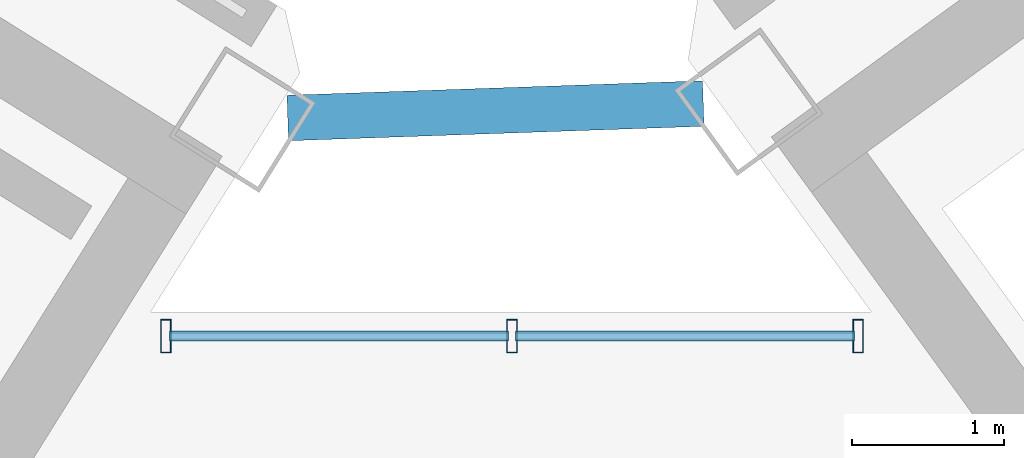
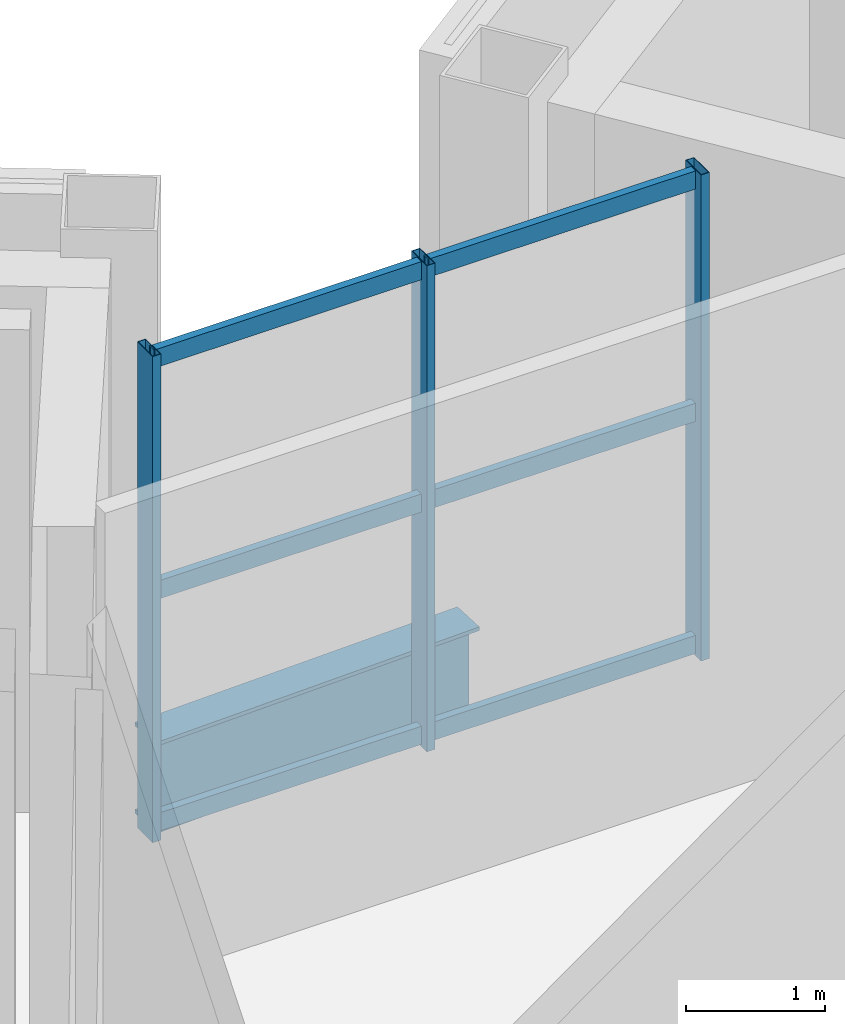
# One storey, part 12 of 27: 9 members, 1 beam, 1 element without a shape of its own.
"""IFC4 building model written with IfcOpenShell, lengths in metres."""

from ifc_helpers import new_model, si_unit, direction, frame, origin, origin_2d, place, context, subcontext, project, spatial, hollow_rectangle, i_section, extrude, source, transform, mapped, material, material_profile, profile_set, type_object, element, aggregate, save


model = new_model("IFC4")

# Units and contexts
model_context = context("Model", 3, precision=1e-05, world=origin(), true_north=direction((0.0, 1.0)))
body_context = subcontext(model_context, "Body", "Model", "MODEL_VIEW")
ifc_project = project(units=[si_unit("LENGTHUNIT", "METRE"), si_unit("AREAUNIT", "SQUARE_METRE"), si_unit("VOLUMEUNIT", "CUBIC_METRE"), si_unit("PLANEANGLEUNIT", "RADIAN"), si_unit("MASSUNIT", "GRAM", prefix="KILO")], contexts=[model_context])

# Site, building, storey
site_placement = place(None, origin())
site = spatial("IfcSite", under=ifc_project, at=site_placement, CompositionType="ELEMENT")
building_placement = place(site_placement, origin())
building = spatial("IfcBuilding", under=site, at=building_placement, Name="Tlacorven Tower", CompositionType="ELEMENT")
storey_placement = place(building_placement, frame((0.0, 0.0, 254.699951171875)))
storey = spatial("IfcBuildingStorey", under=building, at=storey_placement, Name="L64", CompositionType="ELEMENT", Elevation=254.699951171875)

# Beam
ifc_material_1 = material(Name="Steel S355J2", Category="steel")
ifc_material_profile_1 = material_profile(ifc_material_1, i_section(OverallWidth=0.300048828125, OverallDepth=0.800048828125, WebThickness=0.017578125, FlangeThickness=0.032958984375, at=origin_2d()), Name="HEB 800")
ifc_profile_set_1 = profile_set([ifc_material_profile_1], Name="Steel S355J2")
beam_type = type_object("IfcBeamType", Name="BM-POD-800", PredefinedType="BEAM", material=ifc_profile_set_1)
shared_shape_1 = source(origin(), body_context, "Body", "SweptSolid", [
    extrude(i_section(OverallWidth=0.300048828125, OverallDepth=0.800048828125, WebThickness=0.017578125, FlangeThickness=0.032958984375, at=origin_2d()), origin(), (0.0, 0.0, 1.0), 2.742919921875),
])
beam_placement = place(storey_placement, frame((41.082763671875, 24.478759765625, -0.679931640625), z_axis=(0.999391107631, 0.034891460117, 0.0), x_axis=(-0.034891460117, 0.999391107631, 0.0)))
element("IfcBeam", 1, at=beam_placement, inside=storey, type_object=beam_type, Name="L64 Knuckle Link Girder 1", PredefinedType="BEAM", context=body_context, shape_type="MappedRepresentation", body=[
    mapped(shared_shape_1, transform((0.0, 0.0, 0.0), scale=1.0)),
])

# Curtain wall, members
ifc_material_2 = material(Name="Dark solar low-E double glazing in aluminium frame", Category="aluminium")
curtain_wall_type = type_object("IfcCurtainWallType", Name="CW-COM-AMENITY", PredefinedType="USERDEFINED", material=ifc_material_2)
curtain_wall_placement = place(storey_placement, origin())
curtain_wall = element("IfcCurtainWall", 2, at=curtain_wall_placement, inside=storey, type_object=curtain_wall_type, Name="L64 CW-COM-AMENITY Curtain Wall 301", ObjectType="UNITISED CURTAIN WALL", PredefinedType="USERDEFINED")
ifc_material_3 = material(Name="Aluminium 6063-T6 anodised", Category="aluminium")
ifc_material_profile_2 = material_profile(ifc_material_3, hollow_rectangle(XDim=0.070068359375, YDim=0.219970703125, WallThickness=0.0048828125, at=origin_2d()), Name="ALU MULLION 70X220")
ifc_profile_set_2 = profile_set([ifc_material_profile_2], Name="Aluminium 6063-T6 anodised")
member_type_1 = type_object("IfcMemberType", Name="CWM-01", PredefinedType="MULLION", material=ifc_profile_set_2)
shared_shape_2 = source(origin(), body_context, "Body", "SweptSolid", [
    extrude(hollow_rectangle(XDim=0.070068359375, YDim=0.219970703125, WallThickness=0.0048828125, at=origin_2d()), origin(), (0.0, 0.0, 1.0), 4.280029296875),
])
member_1_placement = place(storey_placement, frame((40.27880859375, 23.0400390625, -0.02001953125), z_axis=(0.0, 0.0, 1.0), x_axis=(1.0, 0.0, 0.0)))
member_1 = element("IfcMember", 3, at=member_1_placement, type_object=member_type_1, Name="CW-L64-301 Mullion 1", PredefinedType="MULLION", context=body_context, shape_type="MappedRepresentation", body=[
    mapped(shared_shape_2, transform((0.0, 0.0, 0.0), scale=1.0)),
])
member_2_placement = place(storey_placement, frame((42.562255859375, 23.0400390625, -0.02001953125), z_axis=(0.0, 0.0, 1.0), x_axis=(1.0, 0.0, 0.0)))
member_2 = element("IfcMember", 4, at=member_2_placement, type_object=member_type_1, Name="CW-L64-301 Mullion 2", PredefinedType="MULLION", context=body_context, shape_type="MappedRepresentation", body=[
    mapped(shared_shape_2, transform((0.0, 0.0, 0.0), scale=1.0)),
])
member_3_placement = place(storey_placement, frame((44.845458984375, 23.0400390625, -0.02001953125), z_axis=(0.0, 0.0, 1.0), x_axis=(1.0, 0.0, 0.0)))
member_3 = element("IfcMember", 5, at=member_3_placement, type_object=member_type_1, Name="CW-L64-301 Mullion 3", PredefinedType="MULLION", context=body_context, shape_type="MappedRepresentation", body=[
    mapped(shared_shape_2, transform((0.0, 0.0, 0.0), scale=1.0)),
])
ifc_material_profile_3 = material_profile(ifc_material_3, hollow_rectangle(XDim=0.06494140625, YDim=0.159912109375, WallThickness=0.00390625, at=origin_2d()), Name="ALU TRANSOM 65X160")
ifc_profile_set_3 = profile_set([ifc_material_profile_3], Name="Aluminium 6063-T6 anodised")
member_type_2 = type_object("IfcMemberType", Name="CWT-01", PredefinedType="USERDEFINED", material=ifc_profile_set_3)
shared_shape_3 = source(origin(), body_context, "Body", "SweptSolid", [
    extrude(hollow_rectangle(XDim=0.06494140625, YDim=0.159912109375, WallThickness=0.00390625, at=origin_2d()), origin(), (0.0, 0.0, 1.0), 2.2373046875),
])
member_4_placement = place(storey_placement, frame((40.302001953125, 23.0400390625, 0.080078125), z_axis=(1.0, 0.0, 0.0), x_axis=(0.0, 1.0, 0.0)))
member_4 = element("IfcMember", 6, at=member_4_placement, type_object=member_type_2, Name="CW-L64-301 Transom 1", ObjectType="TRANSOM", PredefinedType="USERDEFINED", context=body_context, shape_type="MappedRepresentation", body=[
    mapped(shared_shape_3, transform((0.0, 0.0, 0.0), scale=1.0)),
])
member_5_placement = place(storey_placement, frame((40.302001953125, 23.0400390625, 2.125), z_axis=(1.0, 0.0, 0.0), x_axis=(0.0, 1.0, 0.0)))
member_5 = element("IfcMember", 7, at=member_5_placement, type_object=member_type_2, Name="CW-L64-301 Transom 2", ObjectType="TRANSOM", PredefinedType="USERDEFINED", context=body_context, shape_type="MappedRepresentation", body=[
    mapped(shared_shape_3, transform((0.0, 0.0, 0.0), scale=1.0)),
])
member_6_placement = place(storey_placement, frame((40.302001953125, 23.0400390625, 4.170166015625), z_axis=(1.0, 0.0, 0.0), x_axis=(0.0, 1.0, 0.0)))
member_6 = element("IfcMember", 8, at=member_6_placement, type_object=member_type_2, Name="CW-L64-301 Transom 3", ObjectType="TRANSOM", PredefinedType="USERDEFINED", context=body_context, shape_type="MappedRepresentation", body=[
    mapped(shared_shape_3, transform((0.0, 0.0, 0.0), scale=1.0)),
])
member_7_placement = place(storey_placement, frame((42.585205078125, 23.0400390625, 0.080078125), z_axis=(1.0, 0.0, 0.0), x_axis=(0.0, 1.0, 0.0)))
member_7 = element("IfcMember", 9, at=member_7_placement, type_object=member_type_2, Name="CW-L64-301 Transom 4", ObjectType="TRANSOM", PredefinedType="USERDEFINED", context=body_context, shape_type="MappedRepresentation", body=[
    mapped(shared_shape_3, transform((0.0, 0.0, 0.0), scale=1.0)),
])
member_8_placement = place(storey_placement, frame((42.585205078125, 23.0400390625, 2.125), z_axis=(1.0, 0.0, 0.0), x_axis=(0.0, 1.0, 0.0)))
member_8 = element("IfcMember", 10, at=member_8_placement, type_object=member_type_2, Name="CW-L64-301 Transom 5", ObjectType="TRANSOM", PredefinedType="USERDEFINED", context=body_context, shape_type="MappedRepresentation", body=[
    mapped(shared_shape_3, transform((0.0, 0.0, 0.0), scale=1.0)),
])
member_9_placement = place(storey_placement, frame((42.585205078125, 23.0400390625, 4.170166015625), z_axis=(1.0, 0.0, 0.0), x_axis=(0.0, 1.0, 0.0)))
member_9 = element("IfcMember", 11, at=member_9_placement, type_object=member_type_2, Name="CW-L64-301 Transom 6", ObjectType="TRANSOM", PredefinedType="USERDEFINED", context=body_context, shape_type="MappedRepresentation", body=[
    mapped(shared_shape_3, transform((0.0, 0.0, 0.0), scale=1.0)),
])
aggregate(curtain_wall, [member_1, member_2, member_3, member_4, member_5, member_6, member_7, member_8, member_9])

save(model, "model.ifc")
